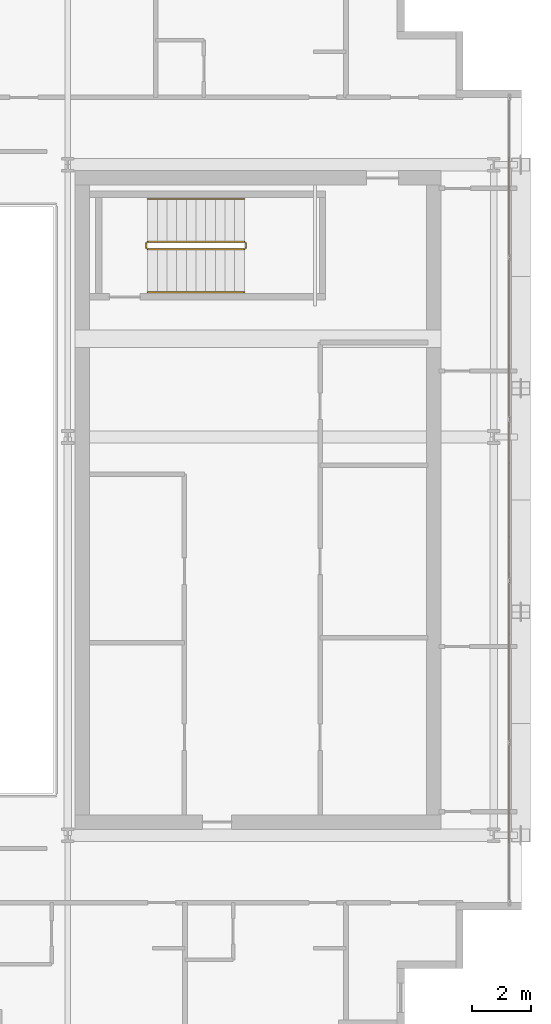
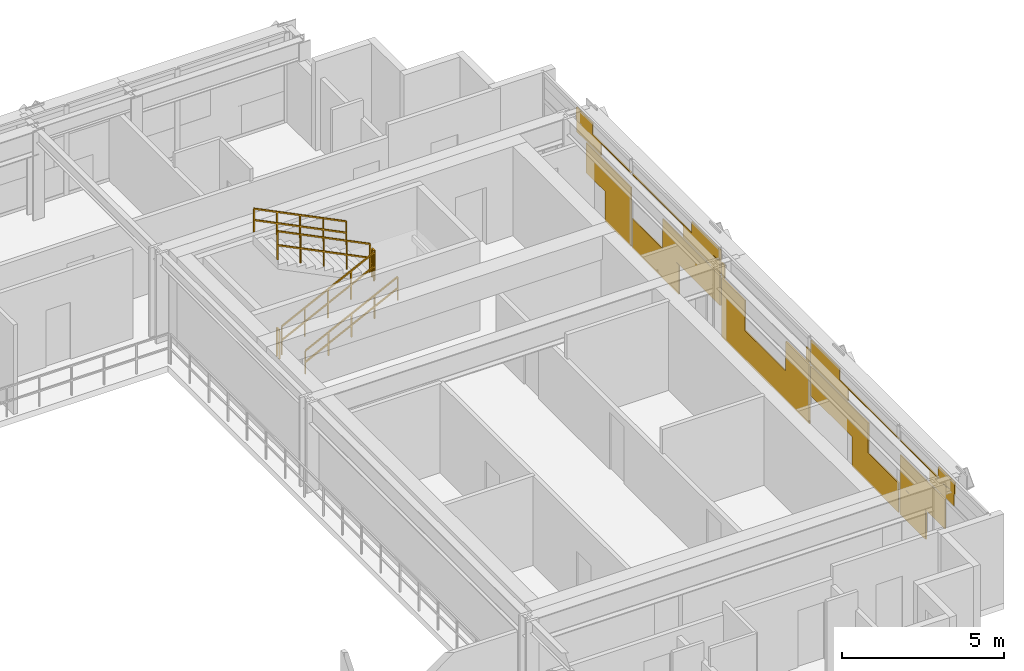
# One storey, part 31 of 32: 6 railings, 1 covering.
"""IFC4 building model written with IfcOpenShell, lengths in metres."""

from ifc_helpers import new_model, si_unit, direction, frame, origin, origin_2d, place, context, subcontext, project, spatial, rectangle, extrude, material, layer, layer_set, type_object, element, save


model = new_model("IFC4")

# Units and contexts
model_context = context("Model", 3, precision=1e-05, world=origin(), true_north=direction((0.0, 1.0)))
body_context = subcontext(model_context, "Body", "Model", "MODEL_VIEW")
ifc_project = project(units=[si_unit("LENGTHUNIT", "METRE"), si_unit("AREAUNIT", "SQUARE_METRE"), si_unit("VOLUMEUNIT", "CUBIC_METRE"), si_unit("PLANEANGLEUNIT", "RADIAN"), si_unit("MASSUNIT", "GRAM", prefix="KILO")], contexts=[model_context])

# Site, building, storey
site_placement = place(None, origin())
site = spatial("IfcSite", under=ifc_project, at=site_placement, CompositionType="ELEMENT")
building_placement = place(site_placement, origin())
building = spatial("IfcBuilding", under=site, at=building_placement, Name="Ocotamira Hotel", CompositionType="ELEMENT")
storey_placement = place(building_placement, frame((0.0, 0.0, 213.60009765625)))
storey = spatial("IfcBuildingStorey", under=building, at=storey_placement, Name="L54", CompositionType="ELEMENT", Elevation=213.60009765625)

# Covering
ifc_material_1 = material(Name="Insulated pale-metal aluminium spandrel panel", Category="aluminium")
ifc_layer = layer(ifc_material_1, 0.044921875)
ifc_layer_set = layer_set([ifc_layer], Name="Insulated pale-metal aluminium spandrel panel")
covering_type = type_object("IfcCoveringType", Name="COV-INFILL-45", PredefinedType="CLADDING", material=ifc_layer_set)
covering_placement = place(storey_placement, origin())
element("IfcCovering", 1, at=covering_placement, inside=storey, type_object=covering_type, Name="L54 Curtain Wall Infill CW-4 CW-L54-E", PredefinedType="CLADDING", context=body_context, shape_type="SweptSolid", body=[
    extrude(rectangle(XDim=2.782958984375, YDim=0.044921875, at=origin_2d()), frame((55.580078125, 16.2880859375, 1.19384765625), z_axis=(0.0, 0.0, 1.0), x_axis=(0.0, 1.0, 0.0)), (0.0, 0.0, 1.0), 1.117919921875),
    extrude(rectangle(XDim=1.596923828125, YDim=0.044921875, at=origin_2d()), frame((55.580078125, 16.881103515625, 0.075439453125), z_axis=(0.0, 0.0, 1.0), x_axis=(0.0, 1.0, 0.0)), (0.0, 0.0, 1.0), 1.11767578125),
    extrude(rectangle(XDim=3.38720703125, YDim=0.044921875, at=origin_2d()), frame((55.580078125, 15.98583984375, 2.845947265625), z_axis=(0.0, 0.0, 1.0), x_axis=(0.0, 1.0, 0.0)), (0.0, 0.0, 1.0), 0.0361328125),
    extrude(rectangle(XDim=1.019287109375, YDim=0.044921875, at=origin_2d()), frame((55.580078125, 14.8017578125, 2.8828125), z_axis=(0.0, 0.0, 1.0), x_axis=(0.0, 1.0, 0.0)), (0.0, 0.0, 1.0), 0.41162109375),
    extrude(rectangle(XDim=1.504638671875, YDim=0.044921875, at=origin_2d()), frame((55.580078125, 15.083740234375, 2.387939453125), z_axis=(0.0, 0.0, 1.0), x_axis=(0.0, 1.0, 0.0)), (0.0, 0.0, 1.0), 0.45703125),
    extrude(rectangle(XDim=2.89013671875, YDim=0.044921875, at=origin_2d()), frame((55.580078125, 19.20556640625, 0.075439453125), z_axis=(0.0, 0.0, 1.0), x_axis=(0.0, 1.0, 0.0)), (0.0, 0.0, 1.0), 1.11767578125),
    extrude(rectangle(XDim=3.568115234375, YDim=0.044921875, at=origin_2d()), frame((55.580078125, 21.41552734375, 1.19384765625), z_axis=(0.0, 0.0, 1.0), x_axis=(0.0, 1.0, 0.0)), (0.0, 0.0, 1.0), 1.117919921875),
    extrude(rectangle(XDim=5.43896484375, YDim=0.044921875, at=origin_2d()), frame((55.580078125, 20.47998046875, 2.845947265625), z_axis=(0.0, 0.0, 1.0), x_axis=(0.0, 1.0, 0.0)), (0.0, 0.0, 1.0), 0.0361328125),
    extrude(rectangle(XDim=2.302490234375, YDim=0.044921875, at=origin_2d()), frame((55.580078125, 22.04833984375, 2.387939453125), z_axis=(0.0, 0.0, 1.0), x_axis=(0.0, 1.0, 0.0)), (0.0, 0.0, 1.0), 0.45703125),
    extrude(rectangle(XDim=1.777587890625, YDim=0.044921875, at=origin_2d()), frame((55.580078125, 22.310791015625, 2.8828125), z_axis=(0.0, 0.0, 1.0), x_axis=(0.0, 1.0, 0.0)), (0.0, 0.0, 1.0), 0.41162109375),
    extrude(rectangle(XDim=5.43896484375, YDim=0.044921875, at=origin_2d()), frame((55.580078125, 26.0, 0.075439453125), z_axis=(0.0, 0.0, 1.0), x_axis=(0.0, 1.0, 0.0)), (0.0, 0.0, 1.0), 1.11767578125),
    extrude(rectangle(XDim=1.45458984375, YDim=0.044921875, at=origin_2d()), frame((55.580078125, 24.0078125, 1.19384765625), z_axis=(0.0, 0.0, 1.0), x_axis=(0.0, 1.0, 0.0)), (0.0, 0.0, 1.0), 1.117919921875),
    extrude(rectangle(XDim=1.45458984375, YDim=0.044921875, at=origin_2d()), frame((55.580078125, 27.9921875, 1.19384765625), z_axis=(0.0, 0.0, 1.0), x_axis=(0.0, 1.0, 0.0)), (0.0, 0.0, 1.0), 1.117919921875),
    extrude(rectangle(XDim=0.18896484375, YDim=0.044921875, at=origin_2d()), frame((55.580078125, 23.375, 2.38818359375), z_axis=(0.0, 0.0, 1.0), x_axis=(0.0, 1.0, 0.0)), (0.0, 0.0, 1.0), 0.493896484375),
    extrude(rectangle(XDim=0.18896484375, YDim=0.044921875, at=origin_2d()), frame((55.580078125, 28.625, 2.38818359375), z_axis=(0.0, 0.0, 1.0), x_axis=(0.0, 1.0, 0.0)), (0.0, 0.0, 1.0), 0.493896484375),
    extrude(rectangle(XDim=3.568115234375, YDim=0.044921875, at=origin_2d()), frame((55.580078125, 30.58447265625, 1.19384765625), z_axis=(0.0, 0.0, 1.0), x_axis=(0.0, 1.0, 0.0)), (0.0, 0.0, 1.0), 1.117919921875),
    extrude(rectangle(XDim=2.89013671875, YDim=0.044921875, at=origin_2d()), frame((55.580078125, 32.79443359375, 0.075439453125), z_axis=(0.0, 0.0, 1.0), x_axis=(0.0, 1.0, 0.0)), (0.0, 0.0, 1.0), 1.11767578125),
    extrude(rectangle(XDim=2.302490234375, YDim=0.044921875, at=origin_2d()), frame((55.580078125, 29.95166015625, 2.387939453125), z_axis=(0.0, 0.0, 1.0), x_axis=(0.0, 1.0, 0.0)), (0.0, 0.0, 1.0), 0.45703125),
    extrude(rectangle(XDim=5.43896484375, YDim=0.044921875, at=origin_2d()), frame((55.580078125, 31.52001953125, 2.845947265625), z_axis=(0.0, 0.0, 1.0), x_axis=(0.0, 1.0, 0.0)), (0.0, 0.0, 1.0), 0.0361328125),
    extrude(rectangle(XDim=1.777587890625, YDim=0.044921875, at=origin_2d()), frame((55.580078125, 29.689208984375, 2.8828125), z_axis=(0.0, 0.0, 1.0), x_axis=(0.0, 1.0, 0.0)), (0.0, 0.0, 1.0), 0.41162109375),
    extrude(rectangle(XDim=1.596923828125, YDim=0.044921875, at=origin_2d()), frame((55.580078125, 35.118896484375, 0.075439453125), z_axis=(0.0, 0.0, 1.0), x_axis=(0.0, 1.0, 0.0)), (0.0, 0.0, 1.0), 1.11767578125),
    extrude(rectangle(XDim=2.782958984375, YDim=0.044921875, at=origin_2d()), frame((55.580078125, 35.7119140625, 1.19384765625), z_axis=(0.0, 0.0, 1.0), x_axis=(0.0, 1.0, 0.0)), (0.0, 0.0, 1.0), 1.117919921875),
    extrude(rectangle(XDim=3.38720703125, YDim=0.044921875, at=origin_2d()), frame((55.580078125, 36.01416015625, 2.845947265625), z_axis=(0.0, 0.0, 1.0), x_axis=(0.0, 1.0, 0.0)), (0.0, 0.0, 1.0), 0.0361328125),
    extrude(rectangle(XDim=1.504638671875, YDim=0.044921875, at=origin_2d()), frame((55.580078125, 36.916259765625, 2.387939453125), z_axis=(0.0, 0.0, 1.0), x_axis=(0.0, 1.0, 0.0)), (0.0, 0.0, 1.0), 0.45703125),
    extrude(rectangle(XDim=1.019287109375, YDim=0.044921875, at=origin_2d()), frame((55.580078125, 37.1982421875, 2.8828125), z_axis=(0.0, 0.0, 1.0), x_axis=(0.0, 1.0, 0.0)), (0.0, 0.0, 1.0), 0.41162109375),
])

# Railings
ifc_material_2 = material(Name="Brushed stainless steel handrail", Category="steel")
railing_type_1 = type_object("IfcRailingType", Name="RL-HAND-900", PredefinedType="HANDRAIL", material=ifc_material_2)
railing_1_placement = place(storey_placement, frame((43.22998046875, 33.10009765625, 0.3271484375)))
element("IfcRailing", 2, at=railing_1_placement, inside=storey, type_object=railing_type_1, Name="L54 ST-4 stair handrail 1", PredefinedType="HANDRAIL", context=body_context, shape_type="SweptSolid", body=[
    extrude(rectangle(XDim=0.048095703125, YDim=0.048095703125, at=origin_2d()), frame((0.0, 0.0, 0.8759765625), z_axis=(0.895893744519, 0.0, 0.4442683857), x_axis=(0.0, 1.0, 0.0)), (0.0, 0.0, 1.0), 3.68359375),
    extrude(rectangle(XDim=0.048095703125, YDim=0.048095703125, at=origin_2d()), frame((0.0, 0.0, 0.449951171875), z_axis=(0.895893744519, 0.0, 0.4442683857), x_axis=(0.0, 1.0, 0.0)), (0.0, 0.0, 1.0), 3.68359375),
    extrude(rectangle(XDim=0.0419921875, YDim=0.0419921875, at=origin_2d()), origin(), (0.0, 0.0, 1.0), 0.851806640625),
    extrude(rectangle(XDim=0.0419921875, YDim=0.0419921875, at=origin_2d()), frame((0.824951171875, 0.0, 0.4091796875)), (0.0, 0.0, 1.0), 0.851806640625),
    extrude(rectangle(XDim=0.0419921875, YDim=0.0419921875, at=origin_2d()), frame((1.64990234375, 0.0, 0.818359375)), (0.0, 0.0, 1.0), 0.851806640625),
    extrude(rectangle(XDim=0.0419921875, YDim=0.0419921875, at=origin_2d()), frame((2.47509765625, 0.0, 1.227294921875)), (0.0, 0.0, 1.0), 0.851806640625),
    extrude(rectangle(XDim=0.0419921875, YDim=0.0419921875, at=origin_2d()), frame((3.300048828125, 0.0, 1.636474609375)), (0.0, 0.0, 1.0), 0.851806640625),
])
railing_2_placement = place(storey_placement, frame((46.530029296875, 36.280029296875, 2.127197265625)))
element("IfcRailing", 3, at=railing_2_placement, inside=storey, type_object=railing_type_1, Name="L54 ST-4 stair handrail 2", PredefinedType="HANDRAIL", context=body_context, shape_type="SweptSolid", body=[
    extrude(rectangle(XDim=0.048095703125, YDim=0.048095703125, at=origin_2d()), frame((0.0, 0.0, 0.8759765625), z_axis=(-0.895920123917, 0.0, 0.444215186098), x_axis=(0.0, -1.0, 0.0)), (0.0, 0.0, 1.0), 3.683349609375),
    extrude(rectangle(XDim=0.048095703125, YDim=0.048095703125, at=origin_2d()), frame((0.0, 0.0, 0.449951171875), z_axis=(-0.895920123917, 0.0, 0.444215186098), x_axis=(0.0, -1.0, 0.0)), (0.0, 0.0, 1.0), 3.683349609375),
    extrude(rectangle(XDim=0.0419921875, YDim=0.0419921875, at=origin_2d()), origin(), (0.0, 0.0, 1.0), 0.851806640625),
    extrude(rectangle(XDim=0.0419921875, YDim=0.0419921875, at=origin_2d()), frame((-0.824951171875, 0.0, 0.4091796875)), (0.0, 0.0, 1.0), 0.851806640625),
    extrude(rectangle(XDim=0.0419921875, YDim=0.0419921875, at=origin_2d()), frame((-1.64990234375, 0.0, 0.818115234375)), (0.0, 0.0, 1.0), 0.851806640625),
    extrude(rectangle(XDim=0.0419921875, YDim=0.0419921875, at=origin_2d()), frame((-2.47509765625, 0.0, 1.22705078125)), (0.0, 0.0, 1.0), 0.851806640625),
    extrude(rectangle(XDim=0.0419921875, YDim=0.0419921875, at=origin_2d()), frame((-3.300048828125, 0.0, 1.63623046875)), (0.0, 0.0, 1.0), 0.851806640625),
])
ifc_material_3 = material(Name="Painted steel stair guardrail", Category="steel")
railing_type_2 = type_object("IfcRailingType", Name="RL-STAIR-1100", PredefinedType="GUARDRAIL", material=ifc_material_3)
railing_3_placement = place(storey_placement, frame((43.22998046875, 34.56005859375, 0.16357421875)))
element("IfcRailing", 4, at=railing_3_placement, inside=storey, type_object=railing_type_2, Name="L54 ST-4 stair guard 1", PredefinedType="GUARDRAIL", context=body_context, shape_type="SweptSolid", body=[
    extrude(rectangle(XDim=0.048095703125, YDim=0.048095703125, at=origin_2d()), frame((0.0, 0.0, 1.076171875), z_axis=(0.895920123917, 0.0, 0.444215186098), x_axis=(0.0, 1.0, 0.0)), (0.0, 0.0, 1.0), 3.683349609375),
    extrude(rectangle(XDim=0.048095703125, YDim=0.048095703125, at=origin_2d()), frame((0.0, 0.0, 0.550048828125), z_axis=(0.895920123917, 0.0, 0.444215186098), x_axis=(0.0, 1.0, 0.0)), (0.0, 0.0, 1.0), 3.683349609375),
    extrude(rectangle(XDim=0.0419921875, YDim=0.0419921875, at=origin_2d()), origin(), (0.0, 0.0, 1.0), 1.052001953125),
    extrude(rectangle(XDim=0.0419921875, YDim=0.0419921875, at=origin_2d()), frame((0.824951171875, 0.0, 0.4091796875)), (0.0, 0.0, 1.0), 1.052001953125),
    extrude(rectangle(XDim=0.0419921875, YDim=0.0419921875, at=origin_2d()), frame((1.64990234375, 0.0, 0.818115234375)), (0.0, 0.0, 1.0), 1.052001953125),
    extrude(rectangle(XDim=0.0419921875, YDim=0.0419921875, at=origin_2d()), frame((2.47509765625, 0.0, 1.22705078125)), (0.0, 0.0, 1.0), 1.052001953125),
    extrude(rectangle(XDim=0.0419921875, YDim=0.0419921875, at=origin_2d()), frame((3.300048828125, 0.0, 1.63623046875)), (0.0, 0.0, 1.0), 1.052001953125),
])
railing_4_placement = place(storey_placement, frame((46.580078125, 34.610107421875, 1.7998046875)))
element("IfcRailing", 5, at=railing_4_placement, inside=storey, type_object=railing_type_2, Name="L54 ST-4 stair guard 2", PredefinedType="GUARDRAIL", context=body_context, shape_type="SweptSolid", body=[
    extrude(rectangle(XDim=0.048095703125, YDim=0.048095703125, at=origin_2d()), frame((0.0, 0.0, 1.076171875), z_axis=(0.0, 1.0, 0.0), x_axis=(-1.0, 0.0, 0.0)), (0.0, 0.0, 1.0), 0.159912109375),
    extrude(rectangle(XDim=0.048095703125, YDim=0.048095703125, at=origin_2d()), frame((0.0, 0.0, 0.550048828125), z_axis=(0.0, 1.0, 0.0), x_axis=(-1.0, 0.0, 0.0)), (0.0, 0.0, 1.0), 0.159912109375),
    extrude(rectangle(XDim=0.0419921875, YDim=0.0419921875, at=origin_2d()), origin(), (0.0, 0.0, 1.0), 1.052001953125),
    extrude(rectangle(XDim=0.0419921875, YDim=0.0419921875, at=origin_2d()), frame((0.0, 0.159912109375, 0.0)), (0.0, 0.0, 1.0), 1.052001953125),
])
railing_5_placement = place(storey_placement, frame((46.530029296875, 34.820068359375, 1.963623046875)))
element("IfcRailing", 6, at=railing_5_placement, inside=storey, type_object=railing_type_2, Name="L54 ST-4 stair guard 3", PredefinedType="GUARDRAIL", context=body_context, shape_type="SweptSolid", body=[
    extrude(rectangle(XDim=0.048095703125, YDim=0.048095703125, at=origin_2d()), frame((0.0, 0.0, 1.076171875), z_axis=(-0.895920123917, 0.0, 0.444215186098), x_axis=(0.0, -1.0, 0.0)), (0.0, 0.0, 1.0), 3.683349609375),
    extrude(rectangle(XDim=0.048095703125, YDim=0.048095703125, at=origin_2d()), frame((0.0, 0.0, 0.550048828125), z_axis=(-0.895920123917, 0.0, 0.444215186098), x_axis=(0.0, -1.0, 0.0)), (0.0, 0.0, 1.0), 3.683349609375),
    extrude(rectangle(XDim=0.0419921875, YDim=0.0419921875, at=origin_2d()), origin(), (0.0, 0.0, 1.0), 1.052001953125),
    extrude(rectangle(XDim=0.0419921875, YDim=0.0419921875, at=origin_2d()), frame((-0.824951171875, 0.0, 0.4091796875)), (0.0, 0.0, 1.0), 1.052001953125),
    extrude(rectangle(XDim=0.0419921875, YDim=0.0419921875, at=origin_2d()), frame((-1.64990234375, 0.0, 0.818115234375)), (0.0, 0.0, 1.0), 1.052001953125),
    extrude(rectangle(XDim=0.0419921875, YDim=0.0419921875, at=origin_2d()), frame((-2.47509765625, 0.0, 1.22705078125)), (0.0, 0.0, 1.0), 1.052001953125),
    extrude(rectangle(XDim=0.0419921875, YDim=0.0419921875, at=origin_2d()), frame((-3.300048828125, 0.0, 1.63623046875)), (0.0, 0.0, 1.0), 1.052001953125),
])
railing_6_placement = place(storey_placement, frame((43.179931640625, 34.610107421875, 0.0)))
element("IfcRailing", 7, at=railing_6_placement, inside=storey, type_object=railing_type_2, Name="L54 ST-4 stair guard 4", PredefinedType="GUARDRAIL", context=body_context, shape_type="SweptSolid", body=[
    extrude(rectangle(XDim=0.048095703125, YDim=0.048095703125, at=origin_2d()), frame((0.0, 0.0, 1.076171875), z_axis=(0.0, 1.0, 0.0), x_axis=(-1.0, 0.0, 0.0)), (0.0, 0.0, 1.0), 0.159912109375),
    extrude(rectangle(XDim=0.048095703125, YDim=0.048095703125, at=origin_2d()), frame((0.0, 0.0, 0.550048828125), z_axis=(0.0, 1.0, 0.0), x_axis=(-1.0, 0.0, 0.0)), (0.0, 0.0, 1.0), 0.159912109375),
    extrude(rectangle(XDim=0.0419921875, YDim=0.0419921875, at=origin_2d()), origin(), (0.0, 0.0, 1.0), 1.052001953125),
    extrude(rectangle(XDim=0.0419921875, YDim=0.0419921875, at=origin_2d()), frame((0.0, 0.159912109375, 0.0)), (0.0, 0.0, 1.0), 1.052001953125),
])

save(model, "model.ifc")
